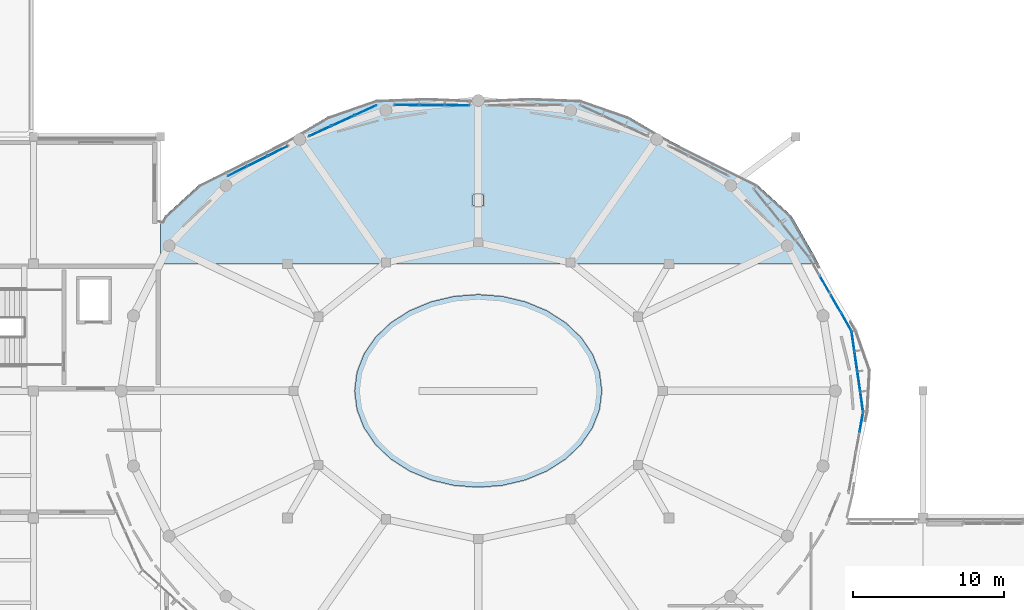
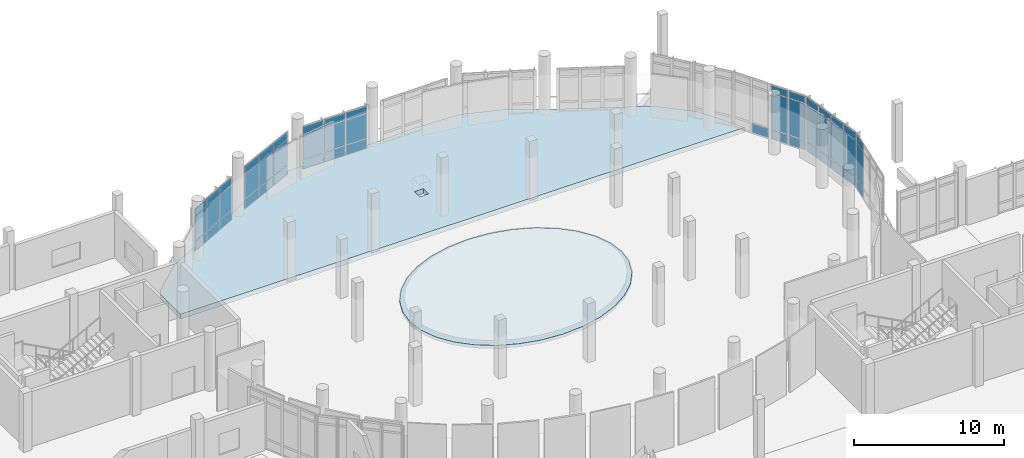
# One storey, part 36 of 63: 49 plates, 2 slabs, 7 elements without a shape of their own.
"""IFC4 building model written with IfcOpenShell, lengths in metres."""

import ifcopenshell
import ifcopenshell.guid

model = None  # the IFC model being written
_history = None  # IfcOwnerHistory: only IFC2X3 demands one
_inside = {}  # id of a spatial element -> (the spatial element, [elements in it])
_under = {}  # id of a project, library or spatial element -> (it, [spatial elements below it])
_declared = {}  # id of a project -> (the project, [libraries it declares])
_typed = {}  # id of a type object -> (the type object, [elements of that type])
_made_of = {}  # id of a material, layer set ... -> (it, [elements and type objects made of it])


def new_model(schema):
    """Start an empty IFC model of exactly this schema.

    Asked for "IFC4X3", IfcOpenShell would pick the latest addendum, in which some entities
    have other attributes; the version numbers below select the first issue.
    IFC2X3 requires an IfcOwnerHistory on every rooted entity: one is made here for all.
    """
    global model, _history
    if schema == "IFC4X3":
        model = ifcopenshell.file(schema_version=(4, 3, 0, 0))
    else:
        model = ifcopenshell.file(schema=schema)
    _inside.clear()
    _under.clear()
    _declared.clear()
    _typed.clear()
    _made_of.clear()
    _history = None
    if model.schema == "IFC2X3":
        org = make("IfcOrganization", Name="unknown")
        user = make(
            "IfcPersonAndOrganization",
            ThePerson=make("IfcPerson", FamilyName="unknown"),
            TheOrganization=org,
        )
        app = make(
            "IfcApplication",
            ApplicationDeveloper=org,
            Version="unknown",
            ApplicationFullName="unknown",
            ApplicationIdentifier="unknown",
        )
        _history = make(
            "IfcOwnerHistory",
            OwningUser=user,
            OwningApplication=app,
            ChangeAction="ADDED",
            CreationDate=0,
        )
    return model


def make(cls, **values):
    """One entity of the class cls with the attributes given. An attribute that is None is left unset."""
    return model.create_entity(
        cls, **{name: value for name, value in values.items() if value is not None}
    )


def rooted(cls, **values):
    """An entity with a GlobalId (a new one), such as an element, a storey or a relation."""
    return make(cls, GlobalId=ifcopenshell.guid.new(), OwnerHistory=_history, **values)


def si_unit(unit_type, name, prefix=None):
    """IfcSIUnit, for example si_unit("LENGTHUNIT", "METRE", prefix="MILLI")."""
    return make("IfcSIUnit", UnitType=unit_type, Prefix=prefix, Name=name)


def derived_unit(unit_type, elements):
    """IfcDerivedUnit: a product of units, each with its exponent."""
    return make(
        "IfcDerivedUnit",
        Elements=[
            make("IfcDerivedUnitElement", Unit=unit, Exponent=power)
            for unit, power in elements
        ],
        UnitType=unit_type,
    )


def assignment(units):
    """IfcUnitAssignment: the units of a project."""
    return None if units is None else make("IfcUnitAssignment", Units=units)


def point(xyz):
    """IfcCartesianPoint."""
    return None if xyz is None else make("IfcCartesianPoint", Coordinates=xyz)


def direction(xyz):
    """IfcDirection."""
    return None if xyz is None else make("IfcDirection", DirectionRatios=xyz)


def frame(location, z_axis=None, x_axis=None):
    """IfcAxis2Placement3D, a coordinate frame: its origin and axes. An axis left out is left unset."""
    return make(
        "IfcAxis2Placement3D",
        Location=point(location),
        Axis=direction(z_axis),
        RefDirection=direction(x_axis),
    )


def frame_2d(location, x_axis=None):
    """IfcAxis2Placement2D, a coordinate frame in the plane: its origin and x axis."""
    return make(
        "IfcAxis2Placement2D", Location=point(location), RefDirection=direction(x_axis)
    )


def origin():
    """The frame at (0, 0, 0) with its axes left unset."""
    return frame((0.0, 0.0, 0.0))


def origin_2d():
    """The frame at (0, 0) in the plane with its x axis left unset."""
    return frame_2d((0.0, 0.0))


def place(relative_to, where):
    """IfcLocalPlacement: puts the frame where relative to a parent placement (None: the world)."""
    return make(
        "IfcLocalPlacement", PlacementRelTo=relative_to, RelativePlacement=where
    )


def context(
    kind, dimensions, precision=None, world=None, true_north=None, identifier=None
):
    """IfcGeometricRepresentationContext, for example the 3D "Model" context."""
    return make(
        "IfcGeometricRepresentationContext",
        ContextIdentifier=identifier,
        ContextType=kind,
        CoordinateSpaceDimension=dimensions,
        Precision=precision,
        WorldCoordinateSystem=world,
        TrueNorth=true_north,
    )


def subcontext(parent, identifier, kind, view, scale=None):
    """IfcGeometricRepresentationSubContext, for example "Body" below "Model"."""
    return make(
        "IfcGeometricRepresentationSubContext",
        ContextIdentifier=identifier,
        ContextType=kind,
        ParentContext=parent,
        TargetScale=scale,
        TargetView=view,
    )


def project(units=None, contexts=None):
    """IfcProject with its units and contexts."""
    return rooted(
        "IfcProject",
        Name="project",
        RepresentationContexts=contexts,
        UnitsInContext=assignment(units),
    )


def spatial(cls, under=None, at=None, **own):
    """A site, building, storey or space (cls), placed at a placement, below another one or the project."""
    s = rooted(cls, ObjectPlacement=at, **own)
    if under is not None:
        _under.setdefault(under.id(), (under, []))[1].append(s)
    return s


def polyline(points):
    """IfcPolyline through the points."""
    return make("IfcPolyline", Points=[point(p) for p in points])


def profile(cls, at=None, kind="AREA", **sizes):
    """A parametric profile (cls). Its sizes go by their IFC names, for example OverallWidth=200.0."""
    return make(cls, ProfileType=kind, Position=at, **sizes)


def rectangle(**sizes):
    """IfcRectangleProfileDef."""
    return profile("IfcRectangleProfileDef", **sizes)


def outline(outer, holes=None, kind="AREA"):
    """IfcArbitraryClosedProfileDef: a profile drawn as a closed curve; with holes, ...WithVoids."""
    if holes is None:
        return make("IfcArbitraryClosedProfileDef", ProfileType=kind, OuterCurve=outer)
    return make(
        "IfcArbitraryProfileDefWithVoids",
        ProfileType=kind,
        OuterCurve=outer,
        InnerCurves=holes,
    )


def extrude(swept, where, along, depth):
    """IfcExtrudedAreaSolid: the profile swept, set in the frame where, extruded along a direction by depth."""
    return make(
        "IfcExtrudedAreaSolid",
        SweptArea=swept,
        Position=where,
        ExtrudedDirection=direction(along),
        Depth=depth,
    )


def shape(context_of_items, identifier, shape_type, items):
    """IfcShapeRepresentation: the items that make up one representation, for example the "Body"."""
    return make(
        "IfcShapeRepresentation",
        ContextOfItems=context_of_items,
        RepresentationIdentifier=identifier,
        RepresentationType=shape_type,
        Items=items,
    )


def material(Name=None, Category=None):
    """IfcMaterial."""
    return make("IfcMaterial", Name=Name, Category=Category)


def layer(
    of_material, thickness, ventilated=None, Name=None, Category=None, Priority=None
):
    """IfcMaterialLayer: one layer of a wall or slab, of a material (None: an air gap)."""
    return make(
        "IfcMaterialLayer",
        Material=of_material,
        LayerThickness=thickness,
        IsVentilated=ventilated,
        Name=Name,
        Category=Category,
        Priority=Priority,
    )


def layer_set(layers, Name=None):
    """IfcMaterialLayerSet."""
    return make("IfcMaterialLayerSet", MaterialLayers=layers, LayerSetName=Name)


def made_of(thing, what):
    """Note that an element or type object is made of a material, layer set ...; save() writes the relation."""
    if what is not None:
        _made_of.setdefault(what.id(), (what, []))[1].append(thing)
    return thing


def type_object(cls, material=None, **own):
    """A type object (cls), such as IfcWallType, which elements share."""
    return made_of(rooted(cls, **own), material)


def element(
    cls,
    number,
    at=None,
    inside=None,
    cuts=None,
    type_object=None,
    material=None,
    context=None,
    identifier="Body",
    shape_type=None,
    held_by="IfcProductDefinitionShape",
    body=None,
    shapes=None,
    **own,
):
    """One element of the class cls, such as IfcWall. Its Tag is "e" and its number.

    at: its placement. inside: the storey or other place that contains it. cuts: it is an
    opening in that element (IfcRelVoidsElement). A single representation is given by context,
    identifier, shape_type and body (its items); several are given by shapes. held_by: the class
    of the entity that holds the representations. save() writes the other relations.
    """
    e = rooted(cls, Tag="e%d" % number, ObjectPlacement=at, **own)
    if body is not None:
        shapes = [shape(context, identifier, shape_type, body)]
    if shapes is not None:
        e.Representation = make(held_by, Representations=shapes)
    if inside is not None:
        _inside.setdefault(inside.id(), (inside, []))[1].append(e)
    if cuts is not None:
        rooted(
            "IfcRelVoidsElement", RelatingBuildingElement=cuts, RelatedOpeningElement=e
        )
    if type_object is not None:
        _typed.setdefault(type_object.id(), (type_object, []))[1].append(e)
    return made_of(e, material)


def aggregate(whole, parts):
    """IfcRelAggregates: a whole, such as a stair, and the parts it consists of."""
    return rooted("IfcRelAggregates", RelatingObject=whole, RelatedObjects=parts)


def save(model, path):
    """Write the relations noted so far, then the file.

    IfcRelAggregates (storeys below a building ...), IfcRelContainedInSpatialStructure (elements
    in a storey), IfcRelDefinesByType, IfcRelAssociatesMaterial and IfcRelDeclares: one each for
    every whole, place, type object, material and project.
    """
    for whole, parts in _under.values():
        aggregate(whole, parts)
    for where, things in _inside.values():
        rooted(
            "IfcRelContainedInSpatialStructure",
            RelatedElements=things,
            RelatingStructure=where,
        )
    for kind, things in _typed.values():
        rooted("IfcRelDefinesByType", RelatedObjects=things, RelatingType=kind)
    for what, things in _made_of.values():
        rooted("IfcRelAssociatesMaterial", RelatedObjects=things, RelatingMaterial=what)
    for by, libraries in _declared.values():
        rooted("IfcRelDeclares", RelatingContext=by, RelatedDefinitions=libraries)
    model.write(path)


model = new_model("IFC4")

# Units and contexts
model_context = context("Model", 3, precision=1e-05, world=origin(), true_north=direction((0.0, 1.0)))
body_context = subcontext(model_context, "Body", "Model", "MODEL_VIEW")
ifc_project = project(units=[si_unit("LENGTHUNIT", "METRE"), si_unit("AREAUNIT", "SQUARE_METRE"), si_unit("VOLUMEUNIT", "CUBIC_METRE"), si_unit("PLANEANGLEUNIT", "RADIAN"), si_unit("MASSUNIT", "GRAM", prefix="KILO"), derived_unit("THERMALTRANSMITTANCEUNIT", [(si_unit("POWERUNIT", "WATT"), 1), (si_unit("LENGTHUNIT", "METRE"), -2), (si_unit("THERMODYNAMICTEMPERATUREUNIT", "KELVIN"), -1)])], contexts=[model_context])

# Site, building, storey
site_placement = place(None, origin())
site = spatial("IfcSite", under=ifc_project, at=site_placement, CompositionType="ELEMENT")
building_placement = place(site_placement, origin())
building = spatial("IfcBuilding", under=site, at=building_placement, Name="Elbkamm Science Centre", CompositionType="ELEMENT")
storey_placement = place(building_placement, frame((0.0, 0.0, 5.10009765625)))
storey = spatial("IfcBuildingStorey", under=building, at=storey_placement, Name="L01", CompositionType="ELEMENT", Elevation=5.10009765625)

# Curtain wall, plates
ifc_material_1 = material(Name="Powder-coated aluminium and triple low-E glazing", Category="aluminium")
ifc_layer_1 = layer(ifc_material_1, 0.159912109375)
ifc_layer_set_1 = layer_set([ifc_layer_1], Name="Powder-coated aluminium and triple low-E glazing")
curtain_wall_type_1 = type_object("IfcCurtainWallType", Name="CW-UNIT-5420x4500", PredefinedType="USERDEFINED", material=ifc_layer_set_1)
curtain_wall_1_placement = place(storey_placement, origin())
curtain_wall_1 = element("IfcCurtainWall", 1, at=curtain_wall_1_placement, inside=storey, type_object=curtain_wall_type_1, Name="L01 Unitised Curtain Wall 001", ObjectType="UNITISED CURTAIN WALL", PredefinedType="USERDEFINED")
ifc_material_2 = material(Name="Triple solar-control insulated safety glass", Category="glass")
ifc_layer_2 = layer(ifc_material_2, 0.048095703125)
ifc_layer_set_2 = layer_set([ifc_layer_2], Name="Triple solar-control insulated safety glass")
plate_type = type_object("IfcPlateType", Name="CW-PNL-48", PredefinedType="CURTAIN_PANEL", material=ifc_layer_set_2)
plate_1_placement = place(storey_placement, frame((88.35107421875, 66.488525390625, 0.06982421875), z_axis=(0.0, 0.0, 1.0), x_axis=(-0.142332207756, 0.989818944371, 0.0)))
plate_1 = element("IfcPlate", 2, at=plate_1_placement, type_object=plate_type, Name="CW-001 panel 1.1", PredefinedType="CURTAIN_PANEL", context=body_context, shape_type="SweptSolid", body=[
    extrude(rectangle(XDim=1.251220703125, YDim=0.048095703125, at=origin_2d()), origin(), (0.0, 0.0, 1.0), 0.7451171875),
])
plate_2_placement = place(storey_placement, frame((88.35107421875, 66.488525390625, 0.884765625), z_axis=(0.0, 0.0, 1.0), x_axis=(-0.142332207756, 0.989818944371, 0.0)))
plate_2 = element("IfcPlate", 3, at=plate_2_placement, type_object=plate_type, Name="CW-001 panel 1.2", PredefinedType="CURTAIN_PANEL", context=body_context, shape_type="SweptSolid", body=[
    extrude(rectangle(XDim=1.251220703125, YDim=0.048095703125, at=origin_2d()), origin(), (0.0, 0.0, 1.0), 2.929931640625),
])
plate_3_placement = place(storey_placement, frame((88.35107421875, 66.488525390625, 3.885009765625), z_axis=(0.0, 0.0, 1.0), x_axis=(-0.142332207756, 0.989818944371, 0.0)))
plate_3 = element("IfcPlate", 4, at=plate_3_placement, type_object=plate_type, Name="CW-001 panel 1.3", PredefinedType="CURTAIN_PANEL", context=body_context, shape_type="SweptSolid", body=[
    extrude(rectangle(XDim=1.251220703125, YDim=0.048095703125, at=origin_2d()), origin(), (0.0, 0.0, 1.0), 0.544921875),
])
plate_4_placement = place(storey_placement, frame((88.160400390625, 67.813720703125, 0.06982421875), z_axis=(0.0, 0.0, 1.0), x_axis=(-0.142332207756, 0.989818944371, 0.0)))
plate_4 = element("IfcPlate", 5, at=plate_4_placement, type_object=plate_type, Name="CW-001 panel 2.1", PredefinedType="CURTAIN_PANEL", context=body_context, shape_type="SweptSolid", body=[
    extrude(rectangle(XDim=1.286376953125, YDim=0.048095703125, at=origin_2d()), origin(), (0.0, 0.0, 1.0), 0.7451171875),
])
plate_5_placement = place(storey_placement, frame((88.160400390625, 67.813720703125, 0.884765625), z_axis=(0.0, 0.0, 1.0), x_axis=(-0.142332207756, 0.989818944371, 0.0)))
plate_5 = element("IfcPlate", 6, at=plate_5_placement, type_object=plate_type, Name="CW-001 panel 2.2", PredefinedType="CURTAIN_PANEL", context=body_context, shape_type="SweptSolid", body=[
    extrude(rectangle(XDim=1.286376953125, YDim=0.048095703125, at=origin_2d()), origin(), (0.0, 0.0, 1.0), 2.929931640625),
])
plate_6_placement = place(storey_placement, frame((88.160400390625, 67.813720703125, 3.885009765625), z_axis=(0.0, 0.0, 1.0), x_axis=(-0.142332207756, 0.989818944371, 0.0)))
plate_6 = element("IfcPlate", 7, at=plate_6_placement, type_object=plate_type, Name="CW-001 panel 2.3", PredefinedType="CURTAIN_PANEL", context=body_context, shape_type="SweptSolid", body=[
    extrude(rectangle(XDim=1.286376953125, YDim=0.048095703125, at=origin_2d()), origin(), (0.0, 0.0, 1.0), 0.544921875),
])
plate_7_placement = place(storey_placement, frame((87.96728515625, 69.15625, 0.06982421875), z_axis=(0.0, 0.0, 1.0), x_axis=(-0.142332207756, 0.989818944371, 0.0)))
plate_7 = element("IfcPlate", 8, at=plate_7_placement, type_object=plate_type, Name="CW-001 panel 3.1", PredefinedType="CURTAIN_PANEL", context=body_context, shape_type="SweptSolid", body=[
    extrude(rectangle(XDim=1.286376953125, YDim=0.048095703125, at=origin_2d()), origin(), (0.0, 0.0, 1.0), 0.7451171875),
])
plate_8_placement = place(storey_placement, frame((87.96728515625, 69.15625, 0.884765625), z_axis=(0.0, 0.0, 1.0), x_axis=(-0.142332207756, 0.989818944371, 0.0)))
plate_8 = element("IfcPlate", 9, at=plate_8_placement, type_object=plate_type, Name="CW-001 panel 3.2", PredefinedType="CURTAIN_PANEL", context=body_context, shape_type="SweptSolid", body=[
    extrude(rectangle(XDim=1.286376953125, YDim=0.048095703125, at=origin_2d()), origin(), (0.0, 0.0, 1.0), 2.929931640625),
])
plate_9_placement = place(storey_placement, frame((87.96728515625, 69.15625, 3.885009765625), z_axis=(0.0, 0.0, 1.0), x_axis=(-0.142332207756, 0.989818944371, 0.0)))
plate_9 = element("IfcPlate", 10, at=plate_9_placement, type_object=plate_type, Name="CW-001 panel 3.3", PredefinedType="CURTAIN_PANEL", context=body_context, shape_type="SweptSolid", body=[
    extrude(rectangle(XDim=1.286376953125, YDim=0.048095703125, at=origin_2d()), origin(), (0.0, 0.0, 1.0), 0.544921875),
])
plate_10_placement = place(storey_placement, frame((87.77685546875, 70.4814453125, 0.06982421875), z_axis=(0.0, 0.0, 1.0), x_axis=(-0.142332207756, 0.989818944371, 0.0)))
plate_10 = element("IfcPlate", 11, at=plate_10_placement, type_object=plate_type, Name="CW-001 panel 4.1", PredefinedType="CURTAIN_PANEL", context=body_context, shape_type="SweptSolid", body=[
    extrude(rectangle(XDim=1.251220703125, YDim=0.048095703125, at=origin_2d()), origin(), (0.0, 0.0, 1.0), 0.7451171875),
])
plate_11_placement = place(storey_placement, frame((87.77685546875, 70.4814453125, 0.884765625), z_axis=(0.0, 0.0, 1.0), x_axis=(-0.142332207756, 0.989818944371, 0.0)))
plate_11 = element("IfcPlate", 12, at=plate_11_placement, type_object=plate_type, Name="CW-001 panel 4.2", PredefinedType="CURTAIN_PANEL", context=body_context, shape_type="SweptSolid", body=[
    extrude(rectangle(XDim=1.251220703125, YDim=0.048095703125, at=origin_2d()), origin(), (0.0, 0.0, 1.0), 2.929931640625),
])
plate_12_placement = place(storey_placement, frame((87.77685546875, 70.4814453125, 3.885009765625), z_axis=(0.0, 0.0, 1.0), x_axis=(-0.142332207756, 0.989818944371, 0.0)))
plate_12 = element("IfcPlate", 13, at=plate_12_placement, type_object=plate_type, Name="CW-001 panel 4.3", PredefinedType="CURTAIN_PANEL", context=body_context, shape_type="SweptSolid", body=[
    extrude(rectangle(XDim=1.251220703125, YDim=0.048095703125, at=origin_2d()), origin(), (0.0, 0.0, 1.0), 0.544921875),
])
aggregate(curtain_wall_1, [plate_1, plate_2, plate_3, plate_4, plate_5, plate_6, plate_7, plate_8, plate_9, plate_10, plate_11, plate_12])

ifc_layer_3 = layer(ifc_material_1, 0.159912109375)
ifc_layer_set_3 = layer_set([ifc_layer_3], Name="Powder-coated aluminium and triple low-E glazing")
curtain_wall_type_2 = type_object("IfcCurtainWallType", Name="CW-UNIT-2760x4500", PredefinedType="USERDEFINED", material=ifc_layer_set_3)
curtain_wall_2_placement = place(storey_placement, origin())
curtain_wall_2 = element("IfcCurtainWall", 14, at=curtain_wall_2_placement, inside=storey, type_object=curtain_wall_type_2, Name="L01 Unitised Curtain Wall 002", ObjectType="UNITISED CURTAIN WALL", PredefinedType="USERDEFINED")
plate_13_placement = place(storey_placement, frame((87.32373046875, 71.7841796875, 0.06982421875), z_axis=(0.0, 0.0, 1.0), x_axis=(-0.499477166875, 0.866327051275, 0.0)))
plate_13 = element("IfcPlate", 15, at=plate_13_placement, type_object=plate_type, Name="CW-002 panel 1.1", PredefinedType="CURTAIN_PANEL", context=body_context, shape_type="SweptSolid", body=[
    extrude(rectangle(XDim=1.27734375, YDim=0.048095703125, at=origin_2d()), origin(), (0.0, 0.0, 1.0), 0.7451171875),
])
plate_14_placement = place(storey_placement, frame((87.32373046875, 71.7841796875, 0.884765625), z_axis=(0.0, 0.0, 1.0), x_axis=(-0.499477166875, 0.866327051275, 0.0)))
plate_14 = element("IfcPlate", 16, at=plate_14_placement, type_object=plate_type, Name="CW-002 panel 1.2", PredefinedType="CURTAIN_PANEL", context=body_context, shape_type="SweptSolid", body=[
    extrude(rectangle(XDim=1.27734375, YDim=0.048095703125, at=origin_2d()), origin(), (0.0, 0.0, 1.0), 2.929931640625),
])
plate_15_placement = place(storey_placement, frame((87.32373046875, 71.7841796875, 3.885009765625), z_axis=(0.0, 0.0, 1.0), x_axis=(-0.499477166875, 0.866327051275, 0.0)))
plate_15 = element("IfcPlate", 17, at=plate_15_placement, type_object=plate_type, Name="CW-002 panel 1.3", PredefinedType="CURTAIN_PANEL", context=body_context, shape_type="SweptSolid", body=[
    extrude(rectangle(XDim=1.27734375, YDim=0.048095703125, at=origin_2d()), origin(), (0.0, 0.0, 1.0), 0.544921875),
])
plate_16_placement = place(storey_placement, frame((86.65087890625, 72.951416015625, 0.06982421875), z_axis=(0.0, 0.0, 1.0), x_axis=(-0.499477166875, 0.866327051275, 0.0)))
plate_16 = element("IfcPlate", 18, at=plate_16_placement, type_object=plate_type, Name="CW-002 panel 2.1", PredefinedType="CURTAIN_PANEL", context=body_context, shape_type="SweptSolid", body=[
    extrude(rectangle(XDim=1.27734375, YDim=0.048095703125, at=origin_2d()), origin(), (0.0, 0.0, 1.0), 0.7451171875),
])
plate_17_placement = place(storey_placement, frame((86.65087890625, 72.951416015625, 0.884765625), z_axis=(0.0, 0.0, 1.0), x_axis=(-0.499477166875, 0.866327051275, 0.0)))
plate_17 = element("IfcPlate", 19, at=plate_17_placement, type_object=plate_type, Name="CW-002 panel 2.2", PredefinedType="CURTAIN_PANEL", context=body_context, shape_type="SweptSolid", body=[
    extrude(rectangle(XDim=1.27734375, YDim=0.048095703125, at=origin_2d()), origin(), (0.0, 0.0, 1.0), 2.929931640625),
])
plate_18_placement = place(storey_placement, frame((86.65087890625, 72.951416015625, 3.885009765625), z_axis=(0.0, 0.0, 1.0), x_axis=(-0.499477166875, 0.866327051275, 0.0)))
plate_18 = element("IfcPlate", 20, at=plate_18_placement, type_object=plate_type, Name="CW-002 panel 2.3", PredefinedType="CURTAIN_PANEL", context=body_context, shape_type="SweptSolid", body=[
    extrude(rectangle(XDim=1.27734375, YDim=0.048095703125, at=origin_2d()), origin(), (0.0, 0.0, 1.0), 0.544921875),
])
aggregate(curtain_wall_2, [plate_13, plate_14, plate_15, plate_16, plate_17, plate_18])

# Curtain wall, plate
curtain_wall_3_placement = place(storey_placement, origin())
curtain_wall_3 = element("IfcCurtainWall", 21, at=curtain_wall_3_placement, inside=storey, type_object=curtain_wall_type_2, Name="L01 Unitised Curtain Wall 003", ObjectType="UNITISED CURTAIN WALL", PredefinedType="USERDEFINED")
plate_19_placement = place(storey_placement, frame((85.90283203125, 74.248779296875, 0.06982421875), z_axis=(0.0, 0.0, 1.0), x_axis=(-0.499477166875, 0.866327051275, 0.0)))
plate_19 = element("IfcPlate", 22, at=plate_19_placement, type_object=plate_type, Name="CW-002 panel 1.1", PredefinedType="CURTAIN_PANEL", context=body_context, shape_type="SweptSolid", body=[
    extrude(rectangle(XDim=1.27734375, YDim=0.048095703125, at=origin_2d()), origin(), (0.0, 0.0, 1.0), 0.7451171875),
])
aggregate(curtain_wall_3, [plate_19])

# Curtain wall, plates
ifc_layer_4 = layer(ifc_material_1, 0.159912109375)
ifc_layer_set_4 = layer_set([ifc_layer_4], Name="Powder-coated aluminium and triple low-E glazing")
curtain_wall_type_3 = type_object("IfcCurtainWallType", Name="CW-UNIT-5080x3560", PredefinedType="USERDEFINED", material=ifc_layer_set_4)
curtain_wall_4_placement = place(storey_placement, origin())
curtain_wall_4 = element("IfcCurtainWall", 23, at=curtain_wall_4_placement, inside=storey, type_object=curtain_wall_type_3, Name="L01 Unitised Curtain Wall 009", ObjectType="UNITISED CURTAIN WALL", PredefinedType="USERDEFINED")
plate_20_placement = place(storey_placement, frame((61.612548828125, 86.076416015625, 0.06982421875), z_axis=(0.0, 0.0, 1.0), x_axis=(-0.99998926822, 0.004632865661, 0.0)))
plate_20 = element("IfcPlate", 24, at=plate_20_placement, type_object=plate_type, Name="CW-006 panel 1.1", PredefinedType="CURTAIN_PANEL", context=body_context, shape_type="SweptSolid", body=[
    extrude(rectangle(XDim=1.5859375, YDim=0.048095703125, at=origin_2d()), origin(), (0.0, 0.0, 1.0), 0.7451171875),
])
plate_21_placement = place(storey_placement, frame((61.612548828125, 86.076416015625, 0.885009765625), z_axis=(0.0, 0.0, 1.0), x_axis=(-0.99998926822, 0.004632865661, 0.0)))
plate_21 = element("IfcPlate", 25, at=plate_21_placement, type_object=plate_type, Name="CW-006 panel 1.2", PredefinedType="CURTAIN_PANEL", context=body_context, shape_type="SweptSolid", body=[
    extrude(rectangle(XDim=1.5859375, YDim=0.048095703125, at=origin_2d()), origin(), (0.0, 0.0, 1.0), 1.97998046875),
])
plate_22_placement = place(storey_placement, frame((61.612548828125, 86.076416015625, 2.93505859375), z_axis=(0.0, 0.0, 1.0), x_axis=(-0.99998926822, 0.004632865661, 0.0)))
plate_22 = element("IfcPlate", 26, at=plate_22_placement, type_object=plate_type, Name="CW-006 panel 1.3", PredefinedType="CURTAIN_PANEL", context=body_context, shape_type="SweptSolid", body=[
    extrude(rectangle(XDim=1.5859375, YDim=0.048095703125, at=origin_2d()), origin(), (0.0, 0.0, 1.0), 0.544921875),
])
plate_23_placement = place(storey_placement, frame((59.939208984375, 86.084228515625, 0.06982421875), z_axis=(0.0, 0.0, 1.0), x_axis=(-0.99998926822, 0.004632865661, 0.0)))
plate_23 = element("IfcPlate", 27, at=plate_23_placement, type_object=plate_type, Name="CW-006 panel 2.1", PredefinedType="CURTAIN_PANEL", context=body_context, shape_type="SweptSolid", body=[
    extrude(rectangle(XDim=1.620849609375, YDim=0.048095703125, at=origin_2d()), origin(), (0.0, 0.0, 1.0), 0.7451171875),
])
plate_24_placement = place(storey_placement, frame((59.939208984375, 86.084228515625, 0.885009765625), z_axis=(0.0, 0.0, 1.0), x_axis=(-0.99998926822, 0.004632865661, 0.0)))
plate_24 = element("IfcPlate", 28, at=plate_24_placement, type_object=plate_type, Name="CW-006 panel 2.2", PredefinedType="CURTAIN_PANEL", context=body_context, shape_type="SweptSolid", body=[
    extrude(rectangle(XDim=1.620849609375, YDim=0.048095703125, at=origin_2d()), origin(), (0.0, 0.0, 1.0), 1.97998046875),
])
plate_25_placement = place(storey_placement, frame((59.939208984375, 86.084228515625, 2.93505859375), z_axis=(0.0, 0.0, 1.0), x_axis=(-0.99998926822, 0.004632865661, 0.0)))
plate_25 = element("IfcPlate", 29, at=plate_25_placement, type_object=plate_type, Name="CW-006 panel 2.3", PredefinedType="CURTAIN_PANEL", context=body_context, shape_type="SweptSolid", body=[
    extrude(rectangle(XDim=1.620849609375, YDim=0.048095703125, at=origin_2d()), origin(), (0.0, 0.0, 1.0), 0.544921875),
])
plate_26_placement = place(storey_placement, frame((58.26611328125, 86.091796875, 0.06982421875), z_axis=(0.0, 0.0, 1.0), x_axis=(-0.99998926822, 0.004632865661, 0.0)))
plate_26 = element("IfcPlate", 30, at=plate_26_placement, type_object=plate_type, Name="CW-006 panel 3.1", PredefinedType="CURTAIN_PANEL", context=body_context, shape_type="SweptSolid", body=[
    extrude(rectangle(XDim=1.5859375, YDim=0.048095703125, at=origin_2d()), origin(), (0.0, 0.0, 1.0), 0.7451171875),
])
plate_27_placement = place(storey_placement, frame((58.26611328125, 86.091796875, 0.885009765625), z_axis=(0.0, 0.0, 1.0), x_axis=(-0.99998926822, 0.004632865661, 0.0)))
plate_27 = element("IfcPlate", 31, at=plate_27_placement, type_object=plate_type, Name="CW-006 panel 3.2", PredefinedType="CURTAIN_PANEL", context=body_context, shape_type="SweptSolid", body=[
    extrude(rectangle(XDim=1.5859375, YDim=0.048095703125, at=origin_2d()), origin(), (0.0, 0.0, 1.0), 1.97998046875),
])
plate_28_placement = place(storey_placement, frame((58.26611328125, 86.091796875, 2.93505859375), z_axis=(0.0, 0.0, 1.0), x_axis=(-0.99998926822, 0.004632865661, 0.0)))
plate_28 = element("IfcPlate", 32, at=plate_28_placement, type_object=plate_type, Name="CW-006 panel 3.3", PredefinedType="CURTAIN_PANEL", context=body_context, shape_type="SweptSolid", body=[
    extrude(rectangle(XDim=1.5859375, YDim=0.048095703125, at=origin_2d()), origin(), (0.0, 0.0, 1.0), 0.544921875),
])
aggregate(curtain_wall_4, [plate_20, plate_21, plate_22, plate_23, plate_24, plate_25, plate_26, plate_27, plate_28])

ifc_layer_5 = layer(ifc_material_1, 0.159912109375)
ifc_layer_set_5 = layer_set([ifc_layer_5], Name="Powder-coated aluminium and triple low-E glazing")
curtain_wall_type_4 = type_object("IfcCurtainWallType", Name="CW-UNIT-4980x3560", PredefinedType="USERDEFINED", material=ifc_layer_set_5)
curtain_wall_5_placement = place(storey_placement, origin())
curtain_wall_5 = element("IfcCurtainWall", 33, at=curtain_wall_5_placement, inside=storey, type_object=curtain_wall_type_4, Name="L01 Unitised Curtain Wall 010", ObjectType="UNITISED CURTAIN WALL", PredefinedType="USERDEFINED")
plate_29_placement = place(storey_placement, frame((55.547119140625, 85.746337890625, 0.06982421875), z_axis=(0.0, 0.0, 1.0), x_axis=(-0.908582857134, -0.417704670458, 0.0)))
plate_29 = element("IfcPlate", 34, at=plate_29_placement, type_object=plate_type, Name="CW-005 panel 1.1", PredefinedType="CURTAIN_PANEL", context=body_context, shape_type="SweptSolid", body=[
    extrude(rectangle(XDim=1.557373046875, YDim=0.048095703125, at=origin_2d()), origin(), (0.0, 0.0, 1.0), 0.7451171875),
])
plate_30_placement = place(storey_placement, frame((55.547119140625, 85.746337890625, 0.885009765625), z_axis=(0.0, 0.0, 1.0), x_axis=(-0.908582857134, -0.417704670458, 0.0)))
plate_30 = element("IfcPlate", 35, at=plate_30_placement, type_object=plate_type, Name="CW-005 panel 1.2", PredefinedType="CURTAIN_PANEL", context=body_context, shape_type="SweptSolid", body=[
    extrude(rectangle(XDim=1.557373046875, YDim=0.048095703125, at=origin_2d()), origin(), (0.0, 0.0, 1.0), 1.97998046875),
])
plate_31_placement = place(storey_placement, frame((55.547119140625, 85.746337890625, 2.93505859375), z_axis=(0.0, 0.0, 1.0), x_axis=(-0.908582857134, -0.417704670458, 0.0)))
plate_31 = element("IfcPlate", 36, at=plate_31_placement, type_object=plate_type, Name="CW-005 panel 1.3", PredefinedType="CURTAIN_PANEL", context=body_context, shape_type="SweptSolid", body=[
    extrude(rectangle(XDim=1.557373046875, YDim=0.048095703125, at=origin_2d()), origin(), (0.0, 0.0, 1.0), 0.544921875),
])
plate_32_placement = place(storey_placement, frame((54.052734375, 85.059326171875, 0.06982421875), z_axis=(0.0, 0.0, 1.0), x_axis=(-0.908582857134, -0.417704670458, 0.0)))
plate_32 = element("IfcPlate", 37, at=plate_32_placement, type_object=plate_type, Name="CW-005 panel 2.1", PredefinedType="CURTAIN_PANEL", context=body_context, shape_type="SweptSolid", body=[
    extrude(rectangle(XDim=1.59228515625, YDim=0.048095703125, at=origin_2d()), origin(), (0.0, 0.0, 1.0), 0.7451171875),
])
plate_33_placement = place(storey_placement, frame((54.052734375, 85.059326171875, 0.885009765625), z_axis=(0.0, 0.0, 1.0), x_axis=(-0.908582857134, -0.417704670458, 0.0)))
plate_33 = element("IfcPlate", 38, at=plate_33_placement, type_object=plate_type, Name="CW-005 panel 2.2", PredefinedType="CURTAIN_PANEL", context=body_context, shape_type="SweptSolid", body=[
    extrude(rectangle(XDim=1.59228515625, YDim=0.048095703125, at=origin_2d()), origin(), (0.0, 0.0, 1.0), 1.97998046875),
])
plate_34_placement = place(storey_placement, frame((54.052734375, 85.059326171875, 2.93505859375), z_axis=(0.0, 0.0, 1.0), x_axis=(-0.908582857134, -0.417704670458, 0.0)))
plate_34 = element("IfcPlate", 39, at=plate_34_placement, type_object=plate_type, Name="CW-005 panel 2.3", PredefinedType="CURTAIN_PANEL", context=body_context, shape_type="SweptSolid", body=[
    extrude(rectangle(XDim=1.59228515625, YDim=0.048095703125, at=origin_2d()), origin(), (0.0, 0.0, 1.0), 0.544921875),
])
plate_35_placement = place(storey_placement, frame((52.558349609375, 84.372314453125, 0.06982421875), z_axis=(0.0, 0.0, 1.0), x_axis=(-0.908582857134, -0.417704670458, 0.0)))
plate_35 = element("IfcPlate", 40, at=plate_35_placement, type_object=plate_type, Name="CW-005 panel 3.1", PredefinedType="CURTAIN_PANEL", context=body_context, shape_type="SweptSolid", body=[
    extrude(rectangle(XDim=1.557373046875, YDim=0.048095703125, at=origin_2d()), origin(), (0.0, 0.0, 1.0), 0.7451171875),
])
plate_36_placement = place(storey_placement, frame((52.558349609375, 84.372314453125, 0.885009765625), z_axis=(0.0, 0.0, 1.0), x_axis=(-0.908582857134, -0.417704670458, 0.0)))
plate_36 = element("IfcPlate", 41, at=plate_36_placement, type_object=plate_type, Name="CW-005 panel 3.2", PredefinedType="CURTAIN_PANEL", context=body_context, shape_type="SweptSolid", body=[
    extrude(rectangle(XDim=1.557373046875, YDim=0.048095703125, at=origin_2d()), origin(), (0.0, 0.0, 1.0), 1.97998046875),
])
plate_37_placement = place(storey_placement, frame((52.558349609375, 84.372314453125, 2.93505859375), z_axis=(0.0, 0.0, 1.0), x_axis=(-0.908582857134, -0.417704670458, 0.0)))
plate_37 = element("IfcPlate", 42, at=plate_37_placement, type_object=plate_type, Name="CW-005 panel 3.3", PredefinedType="CURTAIN_PANEL", context=body_context, shape_type="SweptSolid", body=[
    extrude(rectangle(XDim=1.557373046875, YDim=0.048095703125, at=origin_2d()), origin(), (0.0, 0.0, 1.0), 0.544921875),
])
aggregate(curtain_wall_5, [plate_29, plate_30, plate_31, plate_32, plate_33, plate_34, plate_35, plate_36, plate_37])

ifc_layer_6 = layer(ifc_material_1, 0.159912109375)
ifc_layer_set_6 = layer_set([ifc_layer_6], Name="Powder-coated aluminium and triple low-E glazing")
curtain_wall_type_5 = type_object("IfcCurtainWallType", Name="CW-UNIT-4500x3560", PredefinedType="USERDEFINED", material=ifc_layer_set_6)
curtain_wall_6_placement = place(storey_placement, origin())
curtain_wall_6 = element("IfcCurtainWall", 43, at=curtain_wall_6_placement, inside=storey, type_object=curtain_wall_type_5, Name="L01 Unitised Curtain Wall 011", ObjectType="UNITISED CURTAIN WALL", PredefinedType="USERDEFINED")
plate_38_placement = place(storey_placement, frame((49.751708984375, 83.05517578125, 0.06982421875), z_axis=(0.0, 0.0, 1.0), x_axis=(-0.894812983303, -0.446441177439, 0.0)))
plate_38 = element("IfcPlate", 44, at=plate_38_placement, type_object=plate_type, Name="CW-004 panel 1.1", PredefinedType="CURTAIN_PANEL", context=body_context, shape_type="SweptSolid", body=[
    extrude(rectangle(XDim=1.397216796875, YDim=0.048095703125, at=origin_2d()), origin(), (0.0, 0.0, 1.0), 0.7451171875),
])
plate_39_placement = place(storey_placement, frame((49.751708984375, 83.05517578125, 0.885009765625), z_axis=(0.0, 0.0, 1.0), x_axis=(-0.894812983303, -0.446441177439, 0.0)))
plate_39 = element("IfcPlate", 45, at=plate_39_placement, type_object=plate_type, Name="CW-004 panel 1.2", PredefinedType="CURTAIN_PANEL", context=body_context, shape_type="SweptSolid", body=[
    extrude(rectangle(XDim=1.397216796875, YDim=0.048095703125, at=origin_2d()), origin(), (0.0, 0.0, 1.0), 1.97998046875),
])
plate_40_placement = place(storey_placement, frame((49.751708984375, 83.05517578125, 2.93505859375), z_axis=(0.0, 0.0, 1.0), x_axis=(-0.894812983303, -0.446441177439, 0.0)))
plate_40 = element("IfcPlate", 46, at=plate_40_placement, type_object=plate_type, Name="CW-004 panel 1.3", PredefinedType="CURTAIN_PANEL", context=body_context, shape_type="SweptSolid", body=[
    extrude(rectangle(XDim=1.397216796875, YDim=0.048095703125, at=origin_2d()), origin(), (0.0, 0.0, 1.0), 0.544921875),
])
plate_41_placement = place(storey_placement, frame((48.42333984375, 82.392578125, 0.06982421875), z_axis=(0.0, 0.0, 1.0), x_axis=(-0.894812983303, -0.446441177439, 0.0)))
plate_41 = element("IfcPlate", 47, at=plate_41_placement, type_object=plate_type, Name="CW-004 panel 2.1", PredefinedType="CURTAIN_PANEL", context=body_context, shape_type="SweptSolid", body=[
    extrude(rectangle(XDim=1.43212890625, YDim=0.048095703125, at=origin_2d()), origin(), (0.0, 0.0, 1.0), 0.7451171875),
])
plate_42_placement = place(storey_placement, frame((48.42333984375, 82.392578125, 0.885009765625), z_axis=(0.0, 0.0, 1.0), x_axis=(-0.894812983303, -0.446441177439, 0.0)))
plate_42 = element("IfcPlate", 48, at=plate_42_placement, type_object=plate_type, Name="CW-004 panel 2.2", PredefinedType="CURTAIN_PANEL", context=body_context, shape_type="SweptSolid", body=[
    extrude(rectangle(XDim=1.43212890625, YDim=0.048095703125, at=origin_2d()), origin(), (0.0, 0.0, 1.0), 1.97998046875),
])
plate_43_placement = place(storey_placement, frame((48.42333984375, 82.392578125, 2.93505859375), z_axis=(0.0, 0.0, 1.0), x_axis=(-0.894812983303, -0.446441177439, 0.0)))
plate_43 = element("IfcPlate", 49, at=plate_43_placement, type_object=plate_type, Name="CW-004 panel 2.3", PredefinedType="CURTAIN_PANEL", context=body_context, shape_type="SweptSolid", body=[
    extrude(rectangle(XDim=1.43212890625, YDim=0.048095703125, at=origin_2d()), origin(), (0.0, 0.0, 1.0), 0.544921875),
])
plate_44_placement = place(storey_placement, frame((47.094970703125, 81.729736328125, 0.06982421875), z_axis=(0.0, 0.0, 1.0), x_axis=(-0.894812983303, -0.446441177439, 0.0)))
plate_44 = element("IfcPlate", 50, at=plate_44_placement, type_object=plate_type, Name="CW-004 panel 3.1", PredefinedType="CURTAIN_PANEL", context=body_context, shape_type="SweptSolid", body=[
    extrude(rectangle(XDim=1.397216796875, YDim=0.048095703125, at=origin_2d()), origin(), (0.0, 0.0, 1.0), 0.7451171875),
])
plate_45_placement = place(storey_placement, frame((47.094970703125, 81.729736328125, 0.885009765625), z_axis=(0.0, 0.0, 1.0), x_axis=(-0.894812983303, -0.446441177439, 0.0)))
plate_45 = element("IfcPlate", 51, at=plate_45_placement, type_object=plate_type, Name="CW-004 panel 3.2", PredefinedType="CURTAIN_PANEL", context=body_context, shape_type="SweptSolid", body=[
    extrude(rectangle(XDim=1.397216796875, YDim=0.048095703125, at=origin_2d()), origin(), (0.0, 0.0, 1.0), 1.97998046875),
])
plate_46_placement = place(storey_placement, frame((47.094970703125, 81.729736328125, 2.93505859375), z_axis=(0.0, 0.0, 1.0), x_axis=(-0.894812983303, -0.446441177439, 0.0)))
plate_46 = element("IfcPlate", 52, at=plate_46_placement, type_object=plate_type, Name="CW-004 panel 3.3", PredefinedType="CURTAIN_PANEL", context=body_context, shape_type="SweptSolid", body=[
    extrude(rectangle(XDim=1.397216796875, YDim=0.048095703125, at=origin_2d()), origin(), (0.0, 0.0, 1.0), 0.544921875),
])
aggregate(curtain_wall_6, [plate_38, plate_39, plate_40, plate_41, plate_42, plate_43, plate_44, plate_45, plate_46])

ifc_layer_7 = layer(ifc_material_1, 0.159912109375)
ifc_layer_set_7 = layer_set([ifc_layer_7], Name="Powder-coated aluminium and triple low-E glazing")
curtain_wall_type_6 = type_object("IfcCurtainWallType", Name="CW-UNIT-5400x4500", PredefinedType="USERDEFINED", material=ifc_layer_set_7)
curtain_wall_7_placement = place(storey_placement, origin())
curtain_wall_7 = element("IfcCurtainWall", 53, at=curtain_wall_7_placement, inside=storey, type_object=curtain_wall_type_6, Name="L01 Unitised Curtain Wall 015", ObjectType="UNITISED CURTAIN WALL", PredefinedType="USERDEFINED")
plate_47_placement = place(storey_placement, frame((88.32666015625, 65.117919921875, 0.06982421875), z_axis=(0.0, 0.0, 1.0), x_axis=(0.178003010042, 0.984029942845, 0.0)))
plate_47 = element("IfcPlate", 54, at=plate_47_placement, type_object=plate_type, Name="CW-009 panel 4.1", PredefinedType="CURTAIN_PANEL", context=body_context, shape_type="SweptSolid", body=[
    extrude(rectangle(XDim=1.246337890625, YDim=0.048095703125, at=origin_2d()), origin(), (0.0, 0.0, 1.0), 0.7451171875),
])
plate_48_placement = place(storey_placement, frame((88.32666015625, 65.117919921875, 0.884765625), z_axis=(0.0, 0.0, 1.0), x_axis=(0.178003010042, 0.984029942845, 0.0)))
plate_48 = element("IfcPlate", 55, at=plate_48_placement, type_object=plate_type, Name="CW-009 panel 4.2", PredefinedType="CURTAIN_PANEL", context=body_context, shape_type="SweptSolid", body=[
    extrude(rectangle(XDim=1.246337890625, YDim=0.048095703125, at=origin_2d()), origin(), (0.0, 0.0, 1.0), 2.929931640625),
])
plate_49_placement = place(storey_placement, frame((88.32666015625, 65.117919921875, 3.885009765625), z_axis=(0.0, 0.0, 1.0), x_axis=(0.178003010042, 0.984029942845, 0.0)))
plate_49 = element("IfcPlate", 56, at=plate_49_placement, type_object=plate_type, Name="CW-009 panel 4.3", PredefinedType="CURTAIN_PANEL", context=body_context, shape_type="SweptSolid", body=[
    extrude(rectangle(XDim=1.246337890625, YDim=0.048095703125, at=origin_2d()), origin(), (0.0, 0.0, 1.0), 0.544921875),
])
aggregate(curtain_wall_7, [plate_47, plate_48, plate_49])

# Slabs
ifc_material_3 = material(Name="Reinforced concrete C40/50", Category="concrete")
ifc_layer_8 = layer(ifc_material_3, 0.39990234375)
ifc_layer_set_8 = layer_set([ifc_layer_8], Name="Reinforced concrete C40/50")
slab_type_1 = type_object("IfcSlabType", Name="SLAB-FLR-400", PredefinedType="FLOOR", material=ifc_layer_set_8)
slab_1_placement = place(storey_placement, frame((0.0, 0.0, -0.400146484375)))
element("IfcSlab", 57, at=slab_1_placement, inside=storey, type_object=slab_type_1, Name="L01 Structural Slab CN-05", PredefinedType="FLOOR", context=body_context, shape_type="SweptSolid", body=[
    extrude(outline(polyline([(44.566650390625, 80.839111328125), (47.434814453125, 82.27685546875), (50.264404296875, 83.701416015625), (53.071044921875, 85.335693359375), (56.2275390625, 86.43896484375), (59.638916015625, 86.5712890625), (63.0, 86.419921875), (66.361083984375, 86.5712890625), (69.7724609375, 86.43896484375), (72.928955078125, 85.335693359375), (75.735595703125, 83.701416015625), (78.565185546875, 82.27685546875), (81.433349609375, 80.839111328125), (83.707763671875, 78.767578125), (85.178955078125, 76.205078125), (85.501220703125, 75.60009765625), (42.0, 75.60009765625), (42.0, 78.25830078125), (42.292236328125, 78.767578125), (44.566650390625, 80.839111328125)]), holes=[polyline([(63.35009765625, 80.14990234375), (62.64990234375, 80.14990234375), (62.64990234375, 79.449951171875), (63.35009765625, 79.449951171875), (63.35009765625, 80.14990234375)])]), origin(), (0.0, 0.0, 1.0), 0.400146484375),
])
ifc_layer_9 = layer(ifc_material_3, 0.27001953125)
ifc_layer_set_9 = layer_set([ifc_layer_9], Name="Reinforced concrete C40/50")
slab_type_2 = type_object("IfcSlabType", Name="SLAB-ROOF-270", PredefinedType="ROOF", material=ifc_layer_set_9)
slab_2_placement = place(storey_placement, frame((0.0, 0.0, -0.27001953125)))
element("IfcSlab", 58, at=slab_2_placement, inside=storey, type_object=slab_type_2, Name="L01 Step-Back Roof Slab 03", PredefinedType="ROOF", context=body_context, shape_type="SweptSolid", body=[
    extrude(outline(polyline([(55.43212890625, 64.813232421875), (55.007080078125, 65.9072265625), (54.990234375, 65.959716796875), (54.97998046875, 66.013916015625), (54.920166015625, 66.487548828125), (54.83740234375, 67.1435546875), (54.834228515625, 67.18115234375), (54.834228515625, 67.21875), (54.83740234375, 67.25634765625), (54.920166015625, 67.91259765625), (54.97998046875, 68.38623046875), (54.990234375, 68.440185546875), (55.007080078125, 68.492919921875), (55.43212890625, 69.586669921875), (55.45361328125, 69.6337890625), (55.480224609375, 69.677978515625), (55.59716796875, 69.8486328125), (56.177978515625, 70.697021484375), (56.206787109375, 70.734375), (56.2392578125, 70.768798828125), (57.189208984375, 71.672119140625), (57.2216796875, 71.7001953125), (57.256591796875, 71.72509765625), (58.369384765625, 72.437744140625), (58.425048828125, 72.473388671875), (58.458984375, 72.4931640625), (58.49462890625, 72.510009765625), (59.83740234375, 73.070068359375), (59.871826171875, 73.082763671875), (59.906982421875, 73.092529296875), (61.370849609375, 73.439208984375), (61.405029296875, 73.44580078125), (61.43994140625, 73.449951171875), (62.1904296875, 73.5078125), (62.965576171875, 73.5673828125), (63.0, 73.568603515625), (63.034423828125, 73.5673828125), (63.84765625, 73.504638671875), (64.56005859375, 73.449951171875), (64.594970703125, 73.44580078125), (64.629150390625, 73.439208984375), (66.093017578125, 73.092529296875), (66.128173828125, 73.082763671875), (66.16259765625, 73.070068359375), (67.31787109375, 72.588134765625), (67.50537109375, 72.510009765625), (67.541015625, 72.4931640625), (67.574951171875, 72.473388671875), (67.750732421875, 72.36083984375), (68.743408203125, 71.72509765625), (68.7783203125, 71.7001953125), (68.810791015625, 71.672119140625), (69.7607421875, 70.768798828125), (69.793212890625, 70.734375), (69.822021484375, 70.697021484375), (69.91845703125, 70.55615234375), (70.519775390625, 69.677978515625), (70.54638671875, 69.6337890625), (70.56787109375, 69.586669921875), (70.992919921875, 68.492919921875), (71.009765625, 68.440185546875), (71.02001953125, 68.38623046875), (71.08251953125, 67.891357421875), (71.16259765625, 67.25634765625), (71.165771484375, 67.21875), (71.165771484375, 67.18115234375), (71.16259765625, 67.1435546875), (71.08251953125, 66.508544921875), (71.02001953125, 66.013916015625), (71.009765625, 65.959716796875), (70.992919921875, 65.9072265625), (70.56787109375, 64.813232421875), (70.54638671875, 64.766357421875), (70.519775390625, 64.721923828125), (69.822021484375, 63.703125), (69.793212890625, 63.66552734375), (69.7607421875, 63.63134765625), (69.4375, 63.32373046875), (68.810791015625, 62.727783203125), (68.7783203125, 62.69970703125), (68.743408203125, 62.675048828125), (68.35498046875, 62.42626953125), (67.574951171875, 61.926513671875), (67.541015625, 61.90673828125), (67.50537109375, 61.89013671875), (66.16259765625, 61.330078125), (66.128173828125, 61.3173828125), (66.093017578125, 61.307373046875), (64.629150390625, 60.960693359375), (64.594970703125, 60.9541015625), (64.56005859375, 60.949951171875), (64.02392578125, 60.90869140625), (63.034423828125, 60.832763671875), (63.0, 60.831298828125), (62.965576171875, 60.832763671875), (61.977783203125, 60.90869140625), (61.43994140625, 60.949951171875), (61.405029296875, 60.9541015625), (61.370849609375, 60.960693359375), (60.471923828125, 61.173583984375), (59.906982421875, 61.307373046875), (59.871826171875, 61.3173828125), (59.83740234375, 61.330078125), (58.49462890625, 61.89013671875), (58.458984375, 61.90673828125), (58.425048828125, 61.926513671875), (58.132080078125, 62.1142578125), (57.256591796875, 62.675048828125), (57.2216796875, 62.69970703125), (57.189208984375, 62.727783203125), (56.2392578125, 63.63134765625), (56.206787109375, 63.66552734375), (56.177978515625, 63.703125), (55.480224609375, 64.721923828125), (55.45361328125, 64.766357421875), (55.43212890625, 64.813232421875)])), origin(), (0.0, 0.0, 1.0), 0.27001953125),
])

save(model, "model.ifc")
